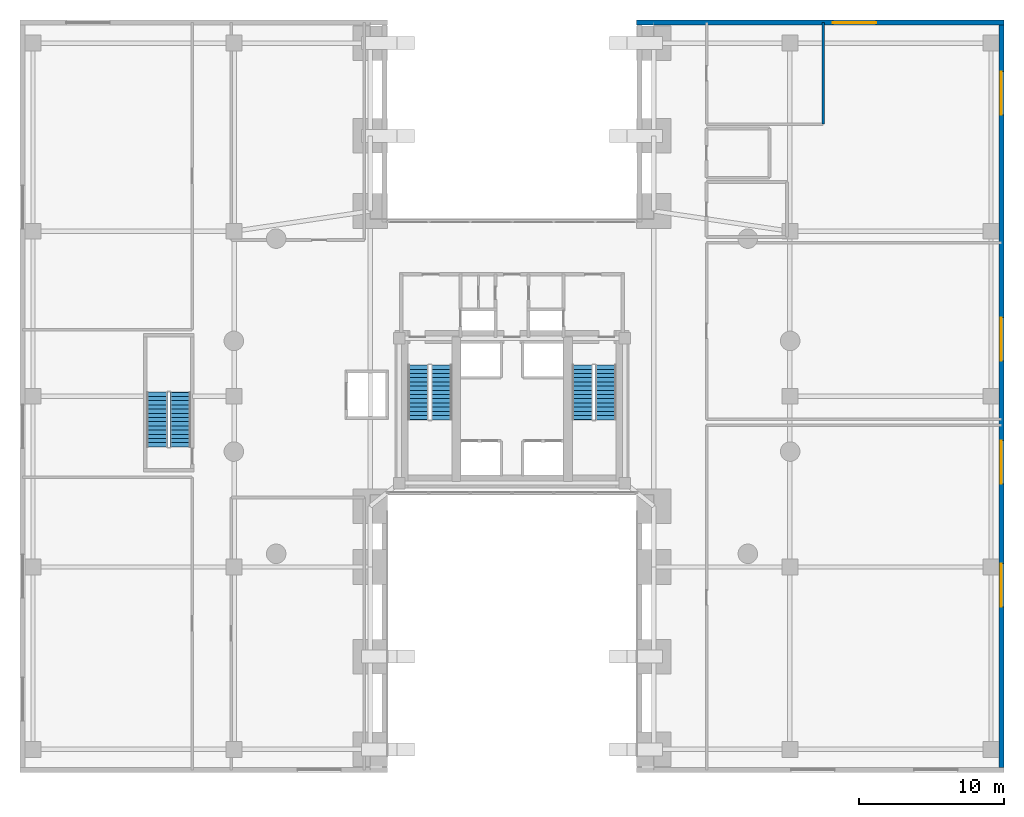
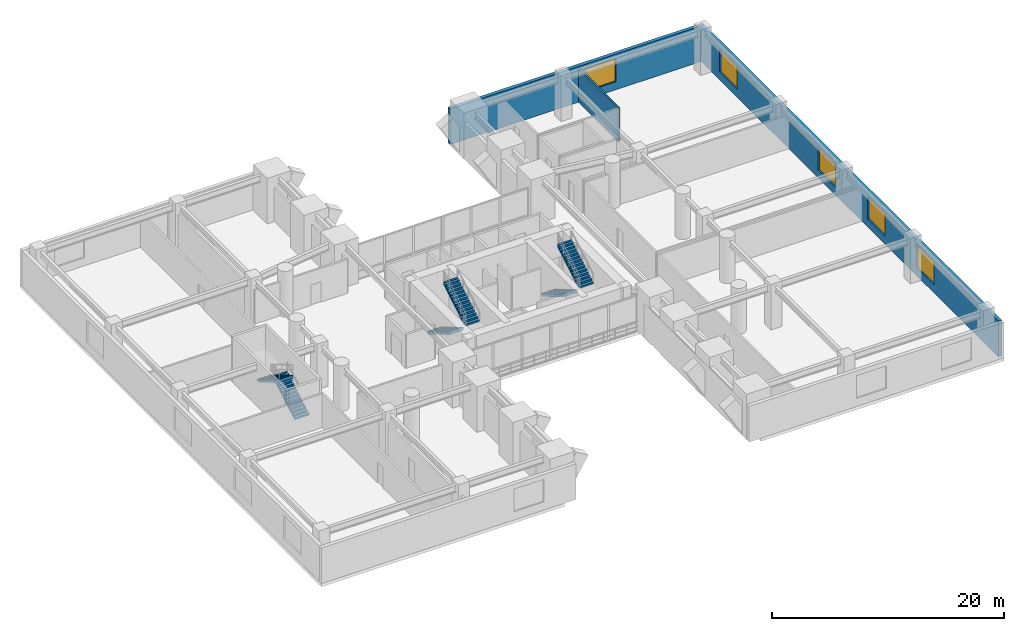
# One storey, part 12 of 14: 6 stair flights, 5 windows, 3 walls, 5 openings, 3 elements without a shape of their own.
"""IFC4 building model written with IfcOpenShell, lengths in metres."""

from ifc_helpers import new_model, si_unit, direction, frame, frame_2d, origin, place, context, subcontext, project, spatial, polyline, rectangle, outline, extrude, material, layer, layer_set, type_object, element, fill, aggregate, save


model = new_model("IFC4")

# Units and contexts
model_context = context("Model", 3, precision=1e-05, world=origin(), true_north=direction((0.0, 1.0)))
body_context = subcontext(model_context, "Body", "Model", "MODEL_VIEW")
ifc_project = project(units=[si_unit("LENGTHUNIT", "METRE"), si_unit("AREAUNIT", "SQUARE_METRE"), si_unit("VOLUMEUNIT", "CUBIC_METRE"), si_unit("PLANEANGLEUNIT", "RADIAN"), si_unit("MASSUNIT", "GRAM", prefix="KILO"), si_unit("THERMODYNAMICTEMPERATUREUNIT", "KELVIN"), si_unit("POWERUNIT", "WATT")], contexts=[model_context])

# Site, building, storey
site_placement = place(None, origin())
site = spatial("IfcSite", under=ifc_project, at=site_placement, CompositionType="ELEMENT")
building_placement = place(site_placement, origin())
building = spatial("IfcBuilding", under=site, at=building_placement, Name="Ocrelia Relay Tower", CompositionType="ELEMENT")
storey_placement = place(building_placement, frame((0.0, 0.0, 5.39990234375)))
storey = spatial("IfcBuildingStorey", under=building, at=storey_placement, Name="L01", CompositionType="ELEMENT", Elevation=5.39990234375)

# Wall
ifc_material_1 = material(Name="Gypsum Fireboard Partition EI60", Category="gypsum")
ifc_layer_1 = layer(ifc_material_1, 0.179931640625, Name="Gypsum Fireboard Partition EI60")
ifc_layer_set_1 = layer_set([ifc_layer_1], Name="Gypsum Fireboard Partition EI60")
wall_type_1 = type_object("IfcWallType", Name="W-CORR-EI60-180", PredefinedType="PARTITIONING", material=ifc_layer_set_1)
wall_1_placement = place(storey_placement, frame((55.5, 44.800048828125, 0.0), z_axis=(0.0, 0.0, 1.0), x_axis=(0.0, 1.0, 0.0)))
element("IfcWall", 1, at=wall_1_placement, inside=storey, type_object=wall_type_1, Name="L01 Catering Staff Study E Partition", PredefinedType="PARTITIONING", context=body_context, shape_type="SweptSolid", body=[
    extrude(rectangle(XDim=7.02001953125, YDim=0.179931640625, at=frame_2d((3.510009765625, 0.0))), origin(), (0.0, 0.0, 1.0), 3.56005859375),
])

# Wall, openings, windows
ifc_material_2 = material(Name="Precast concrete C40/50 with oxide terracotta", Category="masonry")
ifc_layer_2 = layer(ifc_material_2, 0.35009765625, Name="Precast concrete C40/50 with oxide terracotta")
ifc_layer_set_2 = layer_set([ifc_layer_2], Name="Precast concrete C40/50 with oxide terracotta")
wall_type_2 = type_object("IfcWallType", Name="W-EXT-POD-350", PredefinedType="SOLIDWALL", material=ifc_layer_set_2)
wall_2_placement = place(storey_placement, frame((67.820068359375, 51.639892578125, 0.0), z_axis=(0.0, 0.0, 1.0), x_axis=(0.0, -1.0, 0.0)))
wall_2 = element("IfcWall", 2, at=wall_2_placement, inside=storey, type_object=wall_type_2, Name="L01 Oxide Terracotta Podium Wall EE", PredefinedType="SOLIDWALL", context=body_context, shape_type="SweptSolid", body=[
    extrude(rectangle(XDim=51.27978515625, YDim=0.35009765625, at=frame_2d((25.639892578125, 0.0))), origin(), (0.0, 0.0, 1.0), 3.760009765625),
])
opening_1_placement = place(wall_2_placement, frame((3.199951171875, 0.0, 0.85009765625)))
opening_1 = element("IfcOpeningElement", 3, at=opening_1_placement, cuts=wall_2, Name="Opening W-05", PredefinedType="OPENING", context=body_context, shape_type="SweptSolid", body=[
    extrude(rectangle(XDim=3.0, YDim=2.39990234375, at=frame_2d((1.5, 1.199951171875))), frame((0.0, 0.18505859375, 0.0), z_axis=(0.0, -1.0, 0.0), x_axis=(1.0, 0.0, 0.0)), (0.0, 0.0, 1.0), 0.3701171875),
])
opening_2_placement = place(wall_2_placement, frame((20.199951171875, 0.0, 0.85009765625)))
opening_2 = element("IfcOpeningElement", 4, at=opening_2_placement, cuts=wall_2, Name="Opening W-05", PredefinedType="OPENING", context=body_context, shape_type="SweptSolid", body=[
    extrude(rectangle(XDim=3.0, YDim=2.39990234375, at=frame_2d((1.5, 1.199951171875))), frame((0.0, 0.18505859375, 0.0), z_axis=(0.0, -1.0, 0.0), x_axis=(1.0, 0.0, 0.0)), (0.0, 0.0, 1.0), 0.3701171875),
])
opening_3_placement = place(wall_2_placement, frame((28.699951171875, 0.0, 0.85009765625)))
opening_3 = element("IfcOpeningElement", 5, at=opening_3_placement, cuts=wall_2, Name="Opening W-05", PredefinedType="OPENING", context=body_context, shape_type="SweptSolid", body=[
    extrude(rectangle(XDim=3.0, YDim=2.39990234375, at=frame_2d((1.5, 1.199951171875))), frame((0.0, 0.18505859375, 0.0), z_axis=(0.0, -1.0, 0.0), x_axis=(1.0, 0.0, 0.0)), (0.0, 0.0, 1.0), 0.3701171875),
])
opening_4_placement = place(wall_2_placement, frame((37.199951171875, 0.0, 0.85009765625)))
opening_4 = element("IfcOpeningElement", 6, at=opening_4_placement, cuts=wall_2, Name="Opening W-05", PredefinedType="OPENING", context=body_context, shape_type="SweptSolid", body=[
    extrude(rectangle(XDim=3.0, YDim=2.39990234375, at=frame_2d((1.5, 1.199951171875))), frame((0.0, 0.18505859375, 0.0), z_axis=(0.0, -1.0, 0.0), x_axis=(1.0, 0.0, 0.0)), (0.0, 0.0, 1.0), 0.3701171875),
])
ifc_material_3 = material(Name="Clear double-glazed low-E glass", Category="glass")
window_type = type_object("IfcWindowType", Name="WIN-POD-3000x2600", PartitioningType="DOUBLE_PANEL_VERTICAL", PredefinedType="WINDOW", material=ifc_material_3)
window_1_placement = place(opening_1_placement, origin())
window_1 = element("IfcWindow", 7, at=window_1_placement, inside=storey, type_object=window_type, Name="L01 Podium Punched Window EE-1", OverallHeight=2.39990234375, OverallWidth=3.0, PartitioningType="SINGLE_PANEL", PredefinedType="WINDOW", context=body_context, shape_type="SweptSolid", body=[
    extrude(rectangle(XDim=3.0, YDim=2.39990234375, at=frame_2d((1.5, 1.199951171875))), frame((0.0, 0.030029296875, 0.0), z_axis=(0.0, -1.0, 0.0), x_axis=(1.0, 0.0, 0.0)), (0.0, 0.0, 1.0), 0.06005859375),
])
fill(opening_1, window_1)
window_2_placement = place(opening_2_placement, origin())
window_2 = element("IfcWindow", 8, at=window_2_placement, inside=storey, type_object=window_type, Name="L01 Podium Punched Window EE-3", OverallHeight=2.39990234375, OverallWidth=3.0, PartitioningType="SINGLE_PANEL", PredefinedType="WINDOW", context=body_context, shape_type="SweptSolid", body=[
    extrude(rectangle(XDim=3.0, YDim=2.39990234375, at=frame_2d((1.5, 1.199951171875))), frame((0.0, 0.030029296875, 0.0), z_axis=(0.0, -1.0, 0.0), x_axis=(1.0, 0.0, 0.0)), (0.0, 0.0, 1.0), 0.06005859375),
])
fill(opening_2, window_2)
window_3_placement = place(opening_3_placement, origin())
window_3 = element("IfcWindow", 9, at=window_3_placement, inside=storey, type_object=window_type, Name="L01 Podium Punched Window EE-4", OverallHeight=2.39990234375, OverallWidth=3.0, PartitioningType="SINGLE_PANEL", PredefinedType="WINDOW", context=body_context, shape_type="SweptSolid", body=[
    extrude(rectangle(XDim=3.0, YDim=2.39990234375, at=frame_2d((1.5, 1.199951171875))), frame((0.0, 0.030029296875, 0.0), z_axis=(0.0, -1.0, 0.0), x_axis=(1.0, 0.0, 0.0)), (0.0, 0.0, 1.0), 0.06005859375),
])
fill(opening_3, window_3)
window_4_placement = place(opening_4_placement, origin())
window_4 = element("IfcWindow", 10, at=window_4_placement, inside=storey, type_object=window_type, Name="L01 Podium Punched Window EE-5", OverallHeight=2.39990234375, OverallWidth=3.0, PartitioningType="SINGLE_PANEL", PredefinedType="WINDOW", context=body_context, shape_type="SweptSolid", body=[
    extrude(rectangle(XDim=3.0, YDim=2.39990234375, at=frame_2d((1.5, 1.199951171875))), frame((0.0, 0.030029296875, 0.0), z_axis=(0.0, -1.0, 0.0), x_axis=(1.0, 0.0, 0.0)), (0.0, 0.0, 1.0), 0.06005859375),
])
fill(opening_4, window_4)

# Wall, opening, window
wall_3_placement = place(storey_placement, frame((42.6201171875, 51.820068359375, 0.0), z_axis=(0.0, 0.0, 1.0), x_axis=(1.0, 0.0, 0.0)))
wall_3 = element("IfcWall", 11, at=wall_3_placement, inside=storey, type_object=wall_type_2, Name="L01 Oxide Terracotta Podium Wall EN", PredefinedType="SOLIDWALL", context=body_context, shape_type="SweptSolid", body=[
    extrude(rectangle(XDim=25.369873046875, YDim=0.35009765625, at=frame_2d((12.68505859375, 0.0))), origin(), (0.0, 0.0, 1.0), 3.760009765625),
])
opening_5_placement = place(wall_3_placement, frame((13.550048828125, 0.0, 0.85009765625)))
opening_5 = element("IfcOpeningElement", 12, at=opening_5_placement, cuts=wall_3, Name="Opening W-05", PredefinedType="OPENING", context=body_context, shape_type="SweptSolid", body=[
    extrude(rectangle(XDim=3.0, YDim=2.39990234375, at=frame_2d((1.5, 1.199951171875))), frame((0.0, 0.18505859375, 0.0), z_axis=(0.0, -1.0, 0.0), x_axis=(1.0, 0.0, 0.0)), (0.0, 0.0, 1.0), 0.3701171875),
])
window_5_placement = place(opening_5_placement, origin())
window_5 = element("IfcWindow", 13, at=window_5_placement, inside=storey, type_object=window_type, Name="L01 Podium Punched Window EN-2", OverallHeight=2.39990234375, OverallWidth=3.0, PartitioningType="SINGLE_PANEL", PredefinedType="WINDOW", context=body_context, shape_type="SweptSolid", body=[
    extrude(rectangle(XDim=3.0, YDim=2.39990234375, at=frame_2d((1.5, 1.199951171875))), frame((0.0, 0.030029296875, 0.0), z_axis=(0.0, -1.0, 0.0), x_axis=(1.0, 0.0, 0.0)), (0.0, 0.0, 1.0), 0.06005859375),
])
fill(opening_5, window_5)

# Stair, stair flights
ifc_material_4 = material(Name="Concrete C50/60", Category="concrete")
stair_type = type_object("IfcStairType", Name="ST-DL-1420-R171", PredefinedType="HALF_TURN_STAIR", material=ifc_material_4)
stair_1_placement = place(storey_placement, origin())
stair_1 = element("IfcStair", 14, at=stair_1_placement, inside=storey, type_object=stair_type, Name="L01 West Core Exit Stair ST1", PredefinedType="HALF_TURN_STAIR")
stair_flight_type = type_object("IfcStairFlightType", Name="STF-DL-1420-R171", PredefinedType="STRAIGHT", material=ifc_material_4)
stair_flight_1_placement = place(storey_placement, frame((27.52001953125, 28.14990234375, 0.0), z_axis=(0.0, 0.0, 1.0), x_axis=(0.0, -1.0, 0.0)))
stair_flight_1 = element("IfcStairFlight", 15, at=stair_flight_1_placement, type_object=stair_flight_type, Name="ST1 flight 1", NumberOfRisers=14, NumberOfTreads=13, PredefinedType="STRAIGHT", RiserHeight=0.171428571, TreadLength=0.29, context=body_context, shape_type="SweptSolid", body=[
    extrude(outline(polyline([(-0.008056640625, 0.0), (-0.008056640625, 0.17138671875), (0.0, 0.17138671875), (0.2900390625, 0.17138671875), (0.2900390625, 0.3427734375), (0.580078125, 0.3427734375), (0.580078125, 0.514404296875), (0.8701171875, 0.514404296875), (0.8701171875, 0.685791015625), (1.159912109375, 0.685791015625), (1.159912109375, 0.857177734375), (1.449951171875, 0.857177734375), (1.449951171875, 1.028564453125), (1.739990234375, 1.028564453125), (1.739990234375, 1.199951171875), (2.030029296875, 1.199951171875), (2.030029296875, 1.371337890625), (2.320068359375, 1.371337890625), (2.320068359375, 1.54296875), (2.610107421875, 1.54296875), (2.610107421875, 1.71435546875), (2.89990234375, 1.71435546875), (2.89990234375, 1.8857421875), (3.18994140625, 1.8857421875), (3.18994140625, 2.05712890625), (3.47998046875, 2.05712890625), (3.47998046875, 2.228515625), (3.77001953125, 2.228515625), (3.77001953125, 2.39990234375), (3.778076171875, 2.39990234375), (3.778076171875, 2.054443359375), (0.294677734375, 0.0), (-0.008056640625, 0.0)])), frame((0.0, 0.7099609375, 0.0), z_axis=(0.0, -1.0, 0.0), x_axis=(1.0, 0.0, 0.0)), (0.0, 0.0, 1.0), 1.419921875),
])
stair_flight_2_placement = place(storey_placement, frame((29.139892578125, 24.3798828125, 2.400146484375), z_axis=(0.0, 0.0, 1.0), x_axis=(0.0, 1.0, 0.0)))
stair_flight_2 = element("IfcStairFlight", 16, at=stair_flight_2_placement, type_object=stair_flight_type, Name="ST1 flight 2", NumberOfRisers=14, NumberOfTreads=13, PredefinedType="STRAIGHT", RiserHeight=0.171428571, TreadLength=0.29, context=body_context, shape_type="SweptSolid", body=[
    extrude(outline(polyline([(-0.008056640625, 0.0), (-0.008056640625, 0.17138671875), (0.0, 0.17138671875), (0.2900390625, 0.17138671875), (0.2900390625, 0.3427734375), (0.580078125, 0.3427734375), (0.580078125, 0.514404296875), (0.8701171875, 0.514404296875), (0.8701171875, 0.685791015625), (1.159912109375, 0.685791015625), (1.159912109375, 0.857177734375), (1.449951171875, 0.857177734375), (1.449951171875, 1.028564453125), (1.739990234375, 1.028564453125), (1.739990234375, 1.199951171875), (2.030029296875, 1.199951171875), (2.030029296875, 1.371337890625), (2.320068359375, 1.371337890625), (2.320068359375, 1.54296875), (2.610107421875, 1.54296875), (2.610107421875, 1.71435546875), (2.89990234375, 1.71435546875), (2.89990234375, 1.8857421875), (3.18994140625, 1.8857421875), (3.18994140625, 2.05712890625), (3.47998046875, 2.05712890625), (3.47998046875, 2.228515625), (3.77001953125, 2.228515625), (3.77001953125, 2.39990234375), (3.778076171875, 2.39990234375), (3.778076171875, 2.054443359375), (0.294677734375, 0.0), (-0.008056640625, 0.0)])), frame((0.0, 0.7099609375, 0.0), z_axis=(0.0, -1.0, 0.0), x_axis=(1.0, 0.0, 0.0)), (0.0, 0.0, 1.0), 1.419921875),
])
aggregate(stair_1, [stair_flight_1, stair_flight_2])

stair_2_placement = place(storey_placement, origin())
stair_2 = element("IfcStair", 17, at=stair_2_placement, inside=storey, type_object=stair_type, Name="L01 East Core Exit Stair ST2", PredefinedType="HALF_TURN_STAIR")
stair_flight_3_placement = place(storey_placement, frame((38.8701171875, 28.14990234375, 0.0), z_axis=(0.0, 0.0, 1.0), x_axis=(0.0, -1.0, 0.0)))
stair_flight_3 = element("IfcStairFlight", 18, at=stair_flight_3_placement, type_object=stair_flight_type, Name="ST2 flight 1", NumberOfRisers=14, NumberOfTreads=13, PredefinedType="STRAIGHT", RiserHeight=0.171428571, TreadLength=0.29, context=body_context, shape_type="SweptSolid", body=[
    extrude(outline(polyline([(-0.008056640625, 0.0), (-0.008056640625, 0.17138671875), (0.0, 0.17138671875), (0.2900390625, 0.17138671875), (0.2900390625, 0.3427734375), (0.580078125, 0.3427734375), (0.580078125, 0.514404296875), (0.8701171875, 0.514404296875), (0.8701171875, 0.685791015625), (1.159912109375, 0.685791015625), (1.159912109375, 0.857177734375), (1.449951171875, 0.857177734375), (1.449951171875, 1.028564453125), (1.739990234375, 1.028564453125), (1.739990234375, 1.199951171875), (2.030029296875, 1.199951171875), (2.030029296875, 1.371337890625), (2.320068359375, 1.371337890625), (2.320068359375, 1.54296875), (2.610107421875, 1.54296875), (2.610107421875, 1.71435546875), (2.89990234375, 1.71435546875), (2.89990234375, 1.8857421875), (3.18994140625, 1.8857421875), (3.18994140625, 2.05712890625), (3.47998046875, 2.05712890625), (3.47998046875, 2.228515625), (3.77001953125, 2.228515625), (3.77001953125, 2.39990234375), (3.778076171875, 2.39990234375), (3.778076171875, 2.054443359375), (0.294677734375, 0.0), (-0.008056640625, 0.0)])), frame((0.0, 0.7099609375, 0.0), z_axis=(0.0, -1.0, 0.0), x_axis=(1.0, 0.0, 0.0)), (0.0, 0.0, 1.0), 1.419921875),
])
stair_flight_4_placement = place(storey_placement, frame((40.489990234375, 24.3798828125, 2.400146484375), z_axis=(0.0, 0.0, 1.0), x_axis=(0.0, 1.0, 0.0)))
stair_flight_4 = element("IfcStairFlight", 19, at=stair_flight_4_placement, type_object=stair_flight_type, Name="ST2 flight 2", NumberOfRisers=14, NumberOfTreads=13, PredefinedType="STRAIGHT", RiserHeight=0.171428571, TreadLength=0.29, context=body_context, shape_type="SweptSolid", body=[
    extrude(outline(polyline([(-0.008056640625, 0.0), (-0.008056640625, 0.17138671875), (0.0, 0.17138671875), (0.2900390625, 0.17138671875), (0.2900390625, 0.3427734375), (0.580078125, 0.3427734375), (0.580078125, 0.514404296875), (0.8701171875, 0.514404296875), (0.8701171875, 0.685791015625), (1.159912109375, 0.685791015625), (1.159912109375, 0.857177734375), (1.449951171875, 0.857177734375), (1.449951171875, 1.028564453125), (1.739990234375, 1.028564453125), (1.739990234375, 1.199951171875), (2.030029296875, 1.199951171875), (2.030029296875, 1.371337890625), (2.320068359375, 1.371337890625), (2.320068359375, 1.54296875), (2.610107421875, 1.54296875), (2.610107421875, 1.71435546875), (2.89990234375, 1.71435546875), (2.89990234375, 1.8857421875), (3.18994140625, 1.8857421875), (3.18994140625, 2.05712890625), (3.47998046875, 2.05712890625), (3.47998046875, 2.228515625), (3.77001953125, 2.228515625), (3.77001953125, 2.39990234375), (3.778076171875, 2.39990234375), (3.778076171875, 2.054443359375), (0.294677734375, 0.0), (-0.008056640625, 0.0)])), frame((0.0, 0.7099609375, 0.0), z_axis=(0.0, -1.0, 0.0), x_axis=(1.0, 0.0, 0.0)), (0.0, 0.0, 1.0), 1.419921875),
])
aggregate(stair_2, [stair_flight_3, stair_flight_4])

stair_3_placement = place(storey_placement, origin())
stair_3 = element("IfcStair", 20, at=stair_3_placement, inside=storey, type_object=stair_type, Name="L01 Podium West Exit Stair ST3", PredefinedType="HALF_TURN_STAIR")
stair_flight_5_placement = place(storey_placement, frame((11.090087890625, 22.5, 0.0), z_axis=(0.0, 0.0, 1.0), x_axis=(0.0, 1.0, 0.0)))
stair_flight_5 = element("IfcStairFlight", 21, at=stair_flight_5_placement, type_object=stair_flight_type, Name="ST3 flight 1", NumberOfRisers=14, NumberOfTreads=13, PredefinedType="STRAIGHT", RiserHeight=0.171428571, TreadLength=0.29, context=body_context, shape_type="SweptSolid", body=[
    extrude(outline(polyline([(-0.008056640625, 0.0), (-0.008056640625, 0.17138671875), (0.0, 0.17138671875), (0.2900390625, 0.17138671875), (0.2900390625, 0.3427734375), (0.580078125, 0.3427734375), (0.580078125, 0.514404296875), (0.8701171875, 0.514404296875), (0.8701171875, 0.685791015625), (1.159912109375, 0.685791015625), (1.159912109375, 0.857177734375), (1.449951171875, 0.857177734375), (1.449951171875, 1.028564453125), (1.739990234375, 1.028564453125), (1.739990234375, 1.199951171875), (2.030029296875, 1.199951171875), (2.030029296875, 1.371337890625), (2.320068359375, 1.371337890625), (2.320068359375, 1.54296875), (2.610107421875, 1.54296875), (2.610107421875, 1.71435546875), (2.89990234375, 1.71435546875), (2.89990234375, 1.8857421875), (3.18994140625, 1.8857421875), (3.18994140625, 2.05712890625), (3.47998046875, 2.05712890625), (3.47998046875, 2.228515625), (3.77001953125, 2.228515625), (3.77001953125, 2.39990234375), (3.778076171875, 2.39990234375), (3.778076171875, 2.054443359375), (0.294677734375, 0.0), (-0.008056640625, 0.0)])), frame((0.0, 0.7099609375, 0.0), z_axis=(0.0, -1.0, 0.0), x_axis=(1.0, 0.0, 0.0)), (0.0, 0.0, 1.0), 1.419921875),
])
stair_flight_6_placement = place(storey_placement, frame((9.469970703125, 26.27001953125, 2.400146484375), z_axis=(0.0, 0.0, 1.0), x_axis=(0.0, -1.0, 0.0)))
stair_flight_6 = element("IfcStairFlight", 22, at=stair_flight_6_placement, type_object=stair_flight_type, Name="ST3 flight 2", NumberOfRisers=14, NumberOfTreads=13, PredefinedType="STRAIGHT", RiserHeight=0.171428571, TreadLength=0.29, context=body_context, shape_type="SweptSolid", body=[
    extrude(outline(polyline([(-0.008056640625, 0.0), (-0.008056640625, 0.17138671875), (0.0, 0.17138671875), (0.2900390625, 0.17138671875), (0.2900390625, 0.3427734375), (0.580078125, 0.3427734375), (0.580078125, 0.514404296875), (0.8701171875, 0.514404296875), (0.8701171875, 0.685791015625), (1.159912109375, 0.685791015625), (1.159912109375, 0.857177734375), (1.449951171875, 0.857177734375), (1.449951171875, 1.028564453125), (1.739990234375, 1.028564453125), (1.739990234375, 1.199951171875), (2.030029296875, 1.199951171875), (2.030029296875, 1.371337890625), (2.320068359375, 1.371337890625), (2.320068359375, 1.54296875), (2.610107421875, 1.54296875), (2.610107421875, 1.71435546875), (2.89990234375, 1.71435546875), (2.89990234375, 1.8857421875), (3.18994140625, 1.8857421875), (3.18994140625, 2.05712890625), (3.47998046875, 2.05712890625), (3.47998046875, 2.228515625), (3.77001953125, 2.228515625), (3.77001953125, 2.39990234375), (3.778076171875, 2.39990234375), (3.778076171875, 2.054443359375), (0.294677734375, 0.0), (-0.008056640625, 0.0)])), frame((0.0, 0.7099609375, 0.0), z_axis=(0.0, -1.0, 0.0), x_axis=(1.0, 0.0, 0.0)), (0.0, 0.0, 1.0), 1.419921875),
])
aggregate(stair_3, [stair_flight_5, stair_flight_6])

save(model, "model.ifc")
